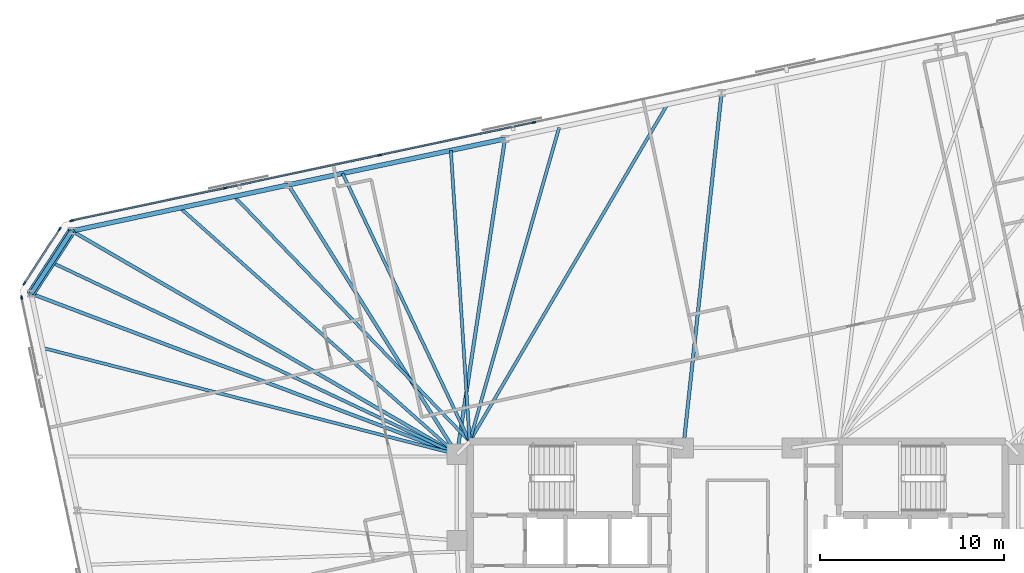
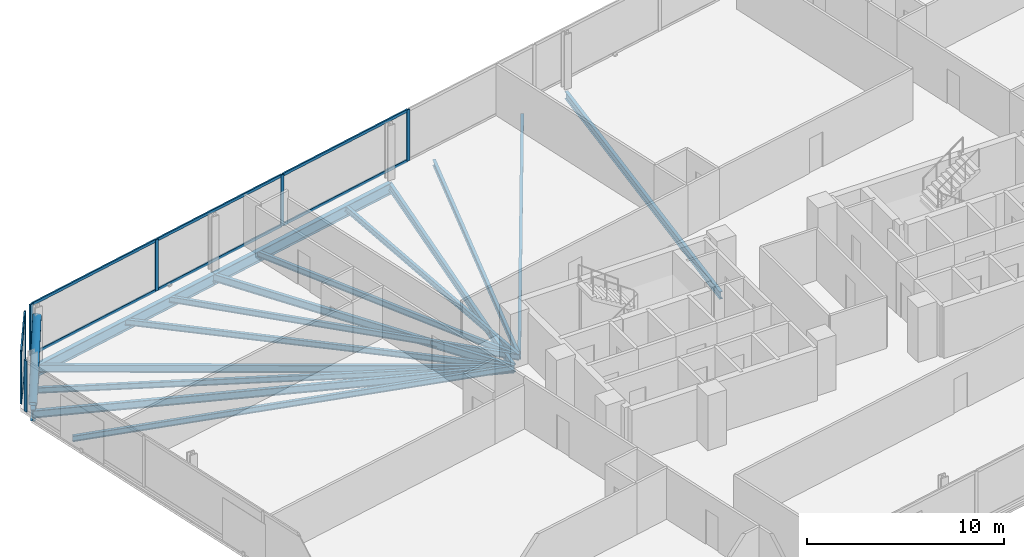
# One storey, part 9 of 19: 16 beams, 16 members, 3 elements without a shape of their own.
"""IFC4 building model written with IfcOpenShell, lengths in metres."""

from ifc_helpers import new_model, si_unit, direction, frame, origin, origin_2d, place, context, subcontext, project, spatial, rectangle, hollow_circle, i_section, extrude, material, material_profile, profile_set, type_object, element, aggregate, save


model = new_model("IFC4")

# Units and contexts
model_context = context("Model", 3, precision=1e-05, world=origin(), true_north=direction((0.0, 1.0)))
body_context = subcontext(model_context, "Body", "Model", "MODEL_VIEW")
ifc_project = project(units=[si_unit("LENGTHUNIT", "METRE"), si_unit("AREAUNIT", "SQUARE_METRE"), si_unit("VOLUMEUNIT", "CUBIC_METRE"), si_unit("PLANEANGLEUNIT", "RADIAN"), si_unit("MASSUNIT", "GRAM", prefix="KILO")], contexts=[model_context])

# Site, building, storey
site_placement = place(None, origin())
site = spatial("IfcSite", under=ifc_project, at=site_placement, CompositionType="ELEMENT")
building_placement = place(site_placement, origin())
building = spatial("IfcBuilding", under=site, at=building_placement, Name="Menara Jurai Vektor", CompositionType="ELEMENT")
storey_placement = place(building_placement, frame((0.0, 0.0, 171.800048828125)))
storey = spatial("IfcBuildingStorey", under=building, at=storey_placement, Name="L44", CompositionType="ELEMENT", Elevation=171.800048828125)

# Curtain wall, members
ifc_material_1 = material(Name="Anodised Pale Aluminium & Low-E Double Glazing", Category="aluminium")
curtain_wall_type = type_object("IfcCurtainWallType", Name="CW-BLK3", PredefinedType="NOTDEFINED", material=ifc_material_1)
curtain_wall_1_placement = place(storey_placement, origin())
curtain_wall_1 = element("IfcCurtainWall", 1, at=curtain_wall_1_placement, inside=storey, type_object=curtain_wall_type, Name="Unitised Curtain Wall L44 F05", PredefinedType="NOTDEFINED")
ifc_material_2 = material(Name="Anodised Pale Aluminium Mullion", Category="aluminium")
ifc_material_profile_1 = material_profile(ifc_material_2, rectangle(XDim=0.0849609375, YDim=0.205078125, at=origin_2d()), Name="ALU MUL 85x205")
ifc_profile_set_1 = profile_set([ifc_material_profile_1], Name="Anodised Pale Aluminium Mullion")
member_type_1 = type_object("IfcMemberType", Name="CW-BLK3-MUL", PredefinedType="MULLION", material=ifc_profile_set_1)
member_1_placement = place(storey_placement, frame((-11.06494140625, 22.9384765625, 0.0), z_axis=(0.0, 0.0, 1.0), x_axis=(0.207911344156, -0.978147674419, 0.0)))
member_1 = element("IfcMember", 2, at=member_1_placement, type_object=member_type_1, Name="CW-03 mullion 5", PredefinedType="MULLION", context=body_context, shape_type="SweptSolid", body=[
    extrude(rectangle(XDim=0.0849609375, YDim=0.205078125, at=origin_2d()), origin(), (0.0, 0.0, 1.0), 3.175048828125),
])
member_2_placement = place(storey_placement, frame((-19.45458984375, 21.1552734375, 0.0), z_axis=(0.0, 0.0, 1.0), x_axis=(0.207911344156, -0.978147674419, 0.0)))
member_2 = element("IfcMember", 3, at=member_2_placement, type_object=member_type_1, Name="CW-03 mullion 6", PredefinedType="MULLION", context=body_context, shape_type="SweptSolid", body=[
    extrude(rectangle(XDim=0.0849609375, YDim=0.205078125, at=origin_2d()), origin(), (0.0, 0.0, 1.0), 3.175048828125),
])
member_3_placement = place(storey_placement, frame((-27.844482421875, 19.3720703125, 0.0), z_axis=(0.0, 0.0, 1.0), x_axis=(0.207911344156, -0.978147674419, 0.0)))
member_3 = element("IfcMember", 4, at=member_3_placement, type_object=member_type_1, Name="CW-03 mullion 7", PredefinedType="MULLION", context=body_context, shape_type="SweptSolid", body=[
    extrude(rectangle(XDim=0.0849609375, YDim=0.205078125, at=origin_2d()), origin(), (0.0, 0.0, 1.0), 3.175048828125),
])
member_4_placement = place(storey_placement, frame((-36.192626953125, 17.59765625, 0.0), z_axis=(0.0, 0.0, 1.0), x_axis=(0.207911344156, -0.978147674419, 0.0)))
member_4 = element("IfcMember", 5, at=member_4_placement, type_object=member_type_1, Name="CW-03 mullion 8", PredefinedType="MULLION", context=body_context, shape_type="SweptSolid", body=[
    extrude(rectangle(XDim=0.0849609375, YDim=0.205078125, at=origin_2d()), origin(), (0.0, 0.0, 1.0), 3.175048828125),
])

curtain_wall_2_placement = place(storey_placement, origin())
curtain_wall_2 = element("IfcCurtainWall", 6, at=curtain_wall_2_placement, inside=storey, type_object=curtain_wall_type, Name="Unitised Curtain Wall L44 F06", PredefinedType="NOTDEFINED")
member_5_placement = place(storey_placement, frame((-36.8359375, 17.1552734375, 0.0), z_axis=(0.0, 0.0, 1.0), x_axis=(0.838684361415, -0.544617794346, 0.0)))
member_5 = element("IfcMember", 7, at=member_5_placement, type_object=member_type_1, Name="CW-03 mullion 1", PredefinedType="MULLION", context=body_context, shape_type="SweptSolid", body=[
    extrude(rectangle(XDim=0.0849609375, YDim=0.205078125, at=origin_2d()), origin(), (0.0, 0.0, 1.0), 3.175048828125),
])
member_6_placement = place(storey_placement, frame((-38.763427734375, 14.187255859375, 0.0), z_axis=(0.0, 0.0, 1.0), x_axis=(0.838684361415, -0.544617794346, 0.0)))
member_6 = element("IfcMember", 8, at=member_6_placement, type_object=member_type_1, Name="CW-03 mullion 2", PredefinedType="MULLION", context=body_context, shape_type="SweptSolid", body=[
    extrude(rectangle(XDim=0.0849609375, YDim=0.205078125, at=origin_2d()), origin(), (0.0, 0.0, 1.0), 3.175048828125),
])

# Curtain wall, member
curtain_wall_3_placement = place(storey_placement, origin())
curtain_wall_3 = element("IfcCurtainWall", 9, at=curtain_wall_3_placement, inside=storey, type_object=curtain_wall_type, Name="Unitised Curtain Wall L44 F07", PredefinedType="NOTDEFINED")
member_7_placement = place(storey_placement, frame((-38.90576171875, 13.419677734375, 0.0), z_axis=(0.0, 0.0, 1.0), x_axis=(0.978147883949, 0.20791035839, 0.0)))
member_7 = element("IfcMember", 10, at=member_7_placement, type_object=member_type_1, Name="CW-03 mullion 1", PredefinedType="MULLION", context=body_context, shape_type="SweptSolid", body=[
    extrude(rectangle(XDim=0.0849609375, YDim=0.205078125, at=origin_2d()), origin(), (0.0, 0.0, 1.0), 3.175048828125),
])
aggregate(curtain_wall_3, [member_7])

# Member
ifc_material_3 = material(Name="Anodised Pale Aluminium Transom", Category="aluminium")
ifc_material_profile_2 = material_profile(ifc_material_3, rectangle(XDim=0.0849609375, YDim=0.175048828125, at=origin_2d()), Name="ALU TRN 85x175")
ifc_profile_set_2 = profile_set([ifc_material_profile_2], Name="Anodised Pale Aluminium Transom")
member_type_2 = type_object("IfcMemberType", Name="CW-BLK3-TRN", PredefinedType="USERDEFINED", material=ifc_profile_set_2)
member_8_placement = place(storey_placement, frame((-11.1064453125, 22.9296875, 0.04248046875), z_axis=(-0.978147743708, -0.207911018178, 0.0), x_axis=(0.207911018178, -0.978147743708, 0.0)))
member_8 = element("IfcMember", 11, at=member_8_placement, type_object=member_type_2, Name="CW-03 transom 5.1", ObjectType="TRANSOM", PredefinedType="USERDEFINED", context=body_context, shape_type="SweptSolid", body=[
    extrude(rectangle(XDim=0.0849609375, YDim=0.175048828125, at=origin_2d()), origin(), (0.0, 0.0, 1.0), 8.4921875),
])

member_9_placement = place(storey_placement, frame((-11.1064453125, 22.9296875, 3.132568359375), z_axis=(-0.978147743708, -0.207911018178, 0.0), x_axis=(0.207911018178, -0.978147743708, 0.0)))
member_9 = element("IfcMember", 12, at=member_9_placement, type_object=member_type_2, Name="CW-03 transom 5.2", ObjectType="TRANSOM", PredefinedType="USERDEFINED", context=body_context, shape_type="SweptSolid", body=[
    extrude(rectangle(XDim=0.0849609375, YDim=0.175048828125, at=origin_2d()), origin(), (0.0, 0.0, 1.0), 8.4921875),
])

member_10_placement = place(storey_placement, frame((-19.496337890625, 21.146484375, 0.04248046875), z_axis=(-0.978146500933, -0.207916864907, 0.0), x_axis=(0.207916864907, -0.978146500933, 0.0)))
member_10 = element("IfcMember", 13, at=member_10_placement, type_object=member_type_2, Name="CW-03 transom 6.1", ObjectType="TRANSOM", PredefinedType="USERDEFINED", context=body_context, shape_type="SweptSolid", body=[
    extrude(rectangle(XDim=0.0849609375, YDim=0.175048828125, at=origin_2d()), origin(), (0.0, 0.0, 1.0), 8.491943359375),
])

member_11_placement = place(storey_placement, frame((-19.496337890625, 21.146484375, 3.132568359375), z_axis=(-0.978146500933, -0.207916864907, 0.0), x_axis=(0.207916864907, -0.978146500933, 0.0)))
member_11 = element("IfcMember", 14, at=member_11_placement, type_object=member_type_2, Name="CW-03 transom 6.2", ObjectType="TRANSOM", PredefinedType="USERDEFINED", context=body_context, shape_type="SweptSolid", body=[
    extrude(rectangle(XDim=0.0849609375, YDim=0.175048828125, at=origin_2d()), origin(), (0.0, 0.0, 1.0), 8.491943359375),
])

member_12_placement = place(storey_placement, frame((-27.885986328125, 19.363037109375, 0.04248046875), z_axis=(-0.978151580361, -0.207892967261, 0.0), x_axis=(0.207892967261, -0.978151580361, 0.0)))
member_12 = element("IfcMember", 15, at=member_12_placement, type_object=member_type_2, Name="CW-03 transom 7.1", ObjectType="TRANSOM", PredefinedType="USERDEFINED", context=body_context, shape_type="SweptSolid", body=[
    extrude(rectangle(XDim=0.0849609375, YDim=0.175048828125, at=origin_2d()), origin(), (0.0, 0.0, 1.0), 8.449462890625),
])

member_13_placement = place(storey_placement, frame((-27.885986328125, 19.363037109375, 3.132568359375), z_axis=(-0.978151580361, -0.207892967261, 0.0), x_axis=(0.207892967261, -0.978151580361, 0.0)))
member_13 = element("IfcMember", 16, at=member_13_placement, type_object=member_type_2, Name="CW-03 transom 7.2", ObjectType="TRANSOM", PredefinedType="USERDEFINED", context=body_context, shape_type="SweptSolid", body=[
    extrude(rectangle(XDim=0.0849609375, YDim=0.175048828125, at=origin_2d()), origin(), (0.0, 0.0, 1.0), 8.449462890625),
])

aggregate(curtain_wall_1, [member_1, member_2, member_3, member_4, member_8, member_9, member_10, member_11, member_12, member_13])

member_14_placement = place(storey_placement, frame((-36.859130859375, 17.11962890625, 0.04248046875), z_axis=(-0.54462804274, -0.83867770631, 0.0), x_axis=(0.83867770631, -0.54462804274, 0.0)))
member_14 = element("IfcMember", 17, at=member_14_placement, type_object=member_type_2, Name="CW-03 transom 1.1", ObjectType="TRANSOM", PredefinedType="USERDEFINED", context=body_context, shape_type="SweptSolid", body=[
    extrude(rectangle(XDim=0.0849609375, YDim=0.175048828125, at=origin_2d()), origin(), (0.0, 0.0, 1.0), 3.453857421875),
])

member_15_placement = place(storey_placement, frame((-36.859130859375, 17.11962890625, 3.132568359375), z_axis=(-0.54462804274, -0.83867770631, 0.0), x_axis=(0.83867770631, -0.54462804274, 0.0)))
member_15 = element("IfcMember", 18, at=member_15_placement, type_object=member_type_2, Name="CW-03 transom 1.2", ObjectType="TRANSOM", PredefinedType="USERDEFINED", context=body_context, shape_type="SweptSolid", body=[
    extrude(rectangle(XDim=0.0849609375, YDim=0.175048828125, at=origin_2d()), origin(), (0.0, 0.0, 1.0), 3.453857421875),
])

aggregate(curtain_wall_2, [member_5, member_6, member_14, member_15])

# Beams
ifc_material_4 = material(Name="Steel S355", Category="steel")
ifc_material_profile_3 = material_profile(ifc_material_4, i_section(OverallWidth=0.19091796875, OverallDepth=0.4599609375, WebThickness=0.010009765625, FlangeThickness=0.01611328125, FilletRadius=0.010009765625, at=origin_2d()), Name="UKB 457x191x82")
ifc_profile_set_3 = profile_set([ifc_material_profile_3], Name="Steel S355")
beam_type_1 = type_object("IfcBeamType", Name="STR-BM-457", PredefinedType="BEAM", material=ifc_profile_set_3)
beam_1_placement = place(storey_placement, frame((-0.87158203125, 24.54296875, -0.455078125), z_axis=(-0.107107067506, -0.994247492373, 0.0), x_axis=(0.994247492373, -0.107107067506, 0.0)))
element("IfcBeam", 19, at=beam_1_placement, inside=storey, type_object=beam_type_1, Name="Radial Floor Girder L44-N3", PredefinedType="BEAM", context=body_context, shape_type="SweptSolid", body=[
    extrude(i_section(OverallWidth=0.19091796875, OverallDepth=0.4599609375, WebThickness=0.010009765625, FlangeThickness=0.01611328125, FilletRadius=0.010009765625, at=origin_2d()), origin(), (0.0, 0.0, 1.0), 19.404541015625),
])
beam_2_placement = place(storey_placement, frame((-12.639892578125, 22.04150390625, -0.455078125), z_axis=(-0.150532344322, -0.988605084608, 0.0), x_axis=(0.988605084608, -0.150532344322, 0.0)))
element("IfcBeam", 20, at=beam_2_placement, inside=storey, type_object=beam_type_1, Name="Radial Floor Girder L44-N4", PredefinedType="BEAM", context=body_context, shape_type="SweptSolid", body=[
    extrude(i_section(OverallWidth=0.19091796875, OverallDepth=0.4599609375, WebThickness=0.010009765625, FlangeThickness=0.01611328125, FilletRadius=0.010009765625, at=origin_2d()), origin(), (0.0, 0.0, 1.0), 17.339111328125),
])
beam_3_placement = place(storey_placement, frame((-24.408203125, 19.5400390625, -0.455078125), z_axis=(0.53033693414, -0.847786963976, 0.0), x_axis=(0.847786963976, 0.53033693414, 0.0)))
element("IfcBeam", 21, at=beam_3_placement, inside=storey, type_object=beam_type_1, Name="Radial Floor Girder L44-N5", PredefinedType="BEAM", context=body_context, shape_type="SweptSolid", body=[
    extrude(i_section(OverallWidth=0.19091796875, OverallDepth=0.4599609375, WebThickness=0.010009765625, FlangeThickness=0.01611328125, FilletRadius=0.010009765625, at=origin_2d()), origin(), (0.0, 0.0, 1.0), 17.2685546875),
])
beam_4_placement = place(storey_placement, frame((-36.17626953125, 17.038818359375, -0.455078125), z_axis=(0.86500105453, -0.50177004261, 0.0), x_axis=(0.50177004261, 0.86500105453, 0.0)))
element("IfcBeam", 22, at=beam_4_placement, inside=storey, type_object=beam_type_1, Name="Radial Floor Girder L44-N6", PredefinedType="BEAM", context=body_context, shape_type="SweptSolid", body=[
    extrude(i_section(OverallWidth=0.19091796875, OverallDepth=0.4599609375, WebThickness=0.010009765625, FlangeThickness=0.01611328125, FilletRadius=0.010009765625, at=origin_2d()), origin(), (0.0, 0.0, 1.0), 24.192138671875),
])
beam_5_placement = place(storey_placement, frame((-38.388671875, 13.632080078125, -0.455078125), z_axis=(0.935593658977, -0.353078610626, 0.0), x_axis=(0.353078610626, 0.935593658977, 0.0)))
element("IfcBeam", 23, at=beam_5_placement, inside=storey, type_object=beam_type_1, Name="Radial Floor Girder L44-W1", PredefinedType="BEAM", context=body_context, shape_type="SweptSolid", body=[
    extrude(i_section(OverallWidth=0.19091796875, OverallDepth=0.4599609375, WebThickness=0.010009765625, FlangeThickness=0.01611328125, FilletRadius=0.010009765625, at=origin_2d()), origin(), (0.0, 0.0, 1.0), 24.7314453125),
])

# Member
ifc_material_5 = material(Name="Steel S460", Category="steel")
ifc_material_profile_4 = material_profile(ifc_material_5, hollow_circle(Radius=0.228515625, WallThickness=0.01611328125, at=origin_2d()), Name="CHS 457x16")
ifc_profile_set_4 = profile_set([ifc_material_profile_4], Name="Steel S460")
member_type_3 = type_object("IfcMemberType", Name="STR-BR-457", PredefinedType="BRACE", material=ifc_profile_set_4)
member_16_placement = place(storey_placement, frame((-38.388671875, 13.632080078125, 0.14990234375), z_axis=(0.454887866849, 0.700402825662, 0.5500117366), x_axis=(-0.838648168484, 0.544673525608, 0.0)))
element("IfcMember", 24, at=member_16_placement, inside=storey, type_object=member_type_3, Name="Exoskeleton Corner Brace L44-3", PredefinedType="BRACE", context=body_context, shape_type="SweptSolid", body=[
    extrude(hollow_circle(Radius=0.228515625, WallThickness=0.01611328125, at=origin_2d()), origin(), (0.0, 0.0, 1.0), 4.863525390625),
])

# Beams
ifc_material_profile_5 = material_profile(ifc_material_4, i_section(OverallWidth=0.172119140625, OverallDepth=0.35498046875, WebThickness=0.007080078125, FlangeThickness=0.011962890625, FilletRadius=0.010009765625, at=origin_2d()), Name="UKB 356x171x51")
ifc_profile_set_5 = profile_set([ifc_material_profile_5], Name="Steel S355")
beam_type_2 = type_object("IfcBeamType", Name="STR-JS-356", PredefinedType="JOIST", material=ifc_profile_set_5)
beam_6_placement = place(storey_placement, frame((-3.813720703125, 23.91748046875, -0.402587890625), z_axis=(-0.506019514775, -0.862522029091, 0.0), x_axis=(0.862522029091, -0.506019514775, 0.0)))
element("IfcBeam", 25, at=beam_6_placement, inside=storey, type_object=beam_type_2, Name="Radial Secondary Floor Joist L44-JS22", PredefinedType="JOIST", context=body_context, shape_type="SweptSolid", body=[
    extrude(i_section(OverallWidth=0.172119140625, OverallDepth=0.35498046875, WebThickness=0.007080078125, FlangeThickness=0.011962890625, FilletRadius=0.010009765625, at=origin_2d()), origin(), (0.0, 0.0, 1.0), 21.237060546875),
])
beam_7_placement = place(storey_placement, frame((-9.69775390625, 22.666748046875, -0.402587890625), z_axis=(-0.273997863708, -0.961730300387, 0.0), x_axis=(0.961730300387, -0.273997863708, 0.0)))
element("IfcBeam", 26, at=beam_7_placement, inside=storey, type_object=beam_type_2, Name="Radial Secondary Floor Joist L44-JS23", PredefinedType="JOIST", context=body_context, shape_type="SweptSolid", body=[
    extrude(i_section(OverallWidth=0.172119140625, OverallDepth=0.35498046875, WebThickness=0.007080078125, FlangeThickness=0.011962890625, FilletRadius=0.010009765625, at=origin_2d()), origin(), (0.0, 0.0, 1.0), 17.745849609375),
])
beam_8_placement = place(storey_placement, frame((-15.581787109375, 21.416015625, -0.402587890625), z_axis=(0.064466897528, -0.997919846041, 0.0), x_axis=(0.997919846041, 0.064466897528, 0.0)))
element("IfcBeam", 27, at=beam_8_placement, inside=storey, type_object=beam_type_2, Name="Radial Secondary Floor Joist L44-JS24", PredefinedType="JOIST", context=body_context, shape_type="SweptSolid", body=[
    extrude(i_section(OverallWidth=0.172119140625, OverallDepth=0.35498046875, WebThickness=0.007080078125, FlangeThickness=0.011962890625, FilletRadius=0.010009765625, at=origin_2d()), origin(), (0.0, 0.0, 1.0), 15.848876953125),
])
beam_9_placement = place(storey_placement, frame((-21.466064453125, 20.165283203125, -0.402587890625), z_axis=(0.428426167333, -0.903576792057, 0.0), x_axis=(0.903576792057, 0.428426167333, 0.0)))
element("IfcBeam", 28, at=beam_9_placement, inside=storey, type_object=beam_type_2, Name="Radial Secondary Floor Joist L44-JS25", PredefinedType="JOIST", context=body_context, shape_type="SweptSolid", body=[
    extrude(i_section(OverallWidth=0.172119140625, OverallDepth=0.35498046875, WebThickness=0.007080078125, FlangeThickness=0.011962890625, FilletRadius=0.010009765625, at=origin_2d()), origin(), (0.0, 0.0, 1.0), 16.119384765625),
])
beam_10_placement = place(storey_placement, frame((-27.35009765625, 18.914794921875, -0.402587890625), z_axis=(0.692755307066, -0.721172714772, 0.0), x_axis=(0.721172714772, 0.692755307066, 0.0)))
element("IfcBeam", 29, at=beam_10_placement, inside=storey, type_object=beam_type_2, Name="Radial Secondary Floor Joist L44-JS26", PredefinedType="JOIST", context=body_context, shape_type="SweptSolid", body=[
    extrude(i_section(OverallWidth=0.172119140625, OverallDepth=0.35498046875, WebThickness=0.007080078125, FlangeThickness=0.011962890625, FilletRadius=0.010009765625, at=origin_2d()), origin(), (0.0, 0.0, 1.0), 18.462646484375),
])
beam_11_placement = place(storey_placement, frame((-30.292236328125, 18.289306640625, -0.402587890625), z_axis=(0.746952302948, -0.664877625673, 0.0), x_axis=(0.664877625673, 0.746952302948, 0.0)))
element("IfcBeam", 30, at=beam_11_placement, inside=storey, type_object=beam_type_2, Name="Radial Secondary Floor Joist L44-JS27", PredefinedType="JOIST", context=body_context, shape_type="SweptSolid", body=[
    extrude(i_section(OverallWidth=0.172119140625, OverallDepth=0.35498046875, WebThickness=0.007080078125, FlangeThickness=0.011962890625, FilletRadius=0.010009765625, at=origin_2d()), origin(), (0.0, 0.0, 1.0), 20.13818359375),
])
beam_12_placement = place(storey_placement, frame((-37.282470703125, 15.33544921875, -0.402587890625), z_axis=(0.903751908448, -0.428056641085, 0.0), x_axis=(0.428056641085, 0.903751908448, 0.0)))
element("IfcBeam", 31, at=beam_12_placement, inside=storey, type_object=beam_type_2, Name="Radial Secondary Floor Joist L44-JS28", PredefinedType="JOIST", context=body_context, shape_type="SweptSolid", body=[
    extrude(i_section(OverallWidth=0.172119140625, OverallDepth=0.35498046875, WebThickness=0.007080078125, FlangeThickness=0.011962890625, FilletRadius=0.010009765625, at=origin_2d()), origin(), (0.0, 0.0, 1.0), 24.37890625),
])
beam_13_placement = place(storey_placement, frame((-37.76220703125, 10.68505859375, -0.402587890625), z_axis=(0.968531283953, -0.248891848005, 0.0), x_axis=(0.248891848005, 0.968531283953, 0.0)))
element("IfcBeam", 32, at=beam_13_placement, inside=storey, type_object=beam_type_2, Name="Radial Secondary Floor Joist L44-JS29", PredefinedType="JOIST", context=body_context, shape_type="SweptSolid", body=[
    extrude(i_section(OverallWidth=0.172119140625, OverallDepth=0.35498046875, WebThickness=0.007080078125, FlangeThickness=0.011962890625, FilletRadius=0.010009765625, at=origin_2d()), origin(), (0.0, 0.0, 1.0), 23.24365234375),
])
ifc_material_profile_6 = material_profile(ifc_material_5, i_section(OverallWidth=0.256103515625, OverallDepth=0.693115234375, WebThickness=0.013916015625, FlangeThickness=0.02392578125, FilletRadius=0.014892578125, at=origin_2d()), Name="UKB 686x254x170")
ifc_profile_set_6 = profile_set([ifc_material_profile_6], Name="Steel S460")
beam_type_3 = type_object("IfcBeamType", Name="STR-SP-686", PredefinedType="SPANDREL", material=ifc_profile_set_6)
beam_14_placement = place(storey_placement, frame((-12.639892578125, 22.04150390625, -0.571533203125), z_axis=(-0.978147039247, -0.207914332389, 0.0), x_axis=(0.207914332389, -0.978147039247, 0.0)))
element("IfcBeam", 33, at=beam_14_placement, inside=storey, type_object=beam_type_3, Name="Exoskeleton Spandrel Beam L44-14", PredefinedType="SPANDREL", context=body_context, shape_type="SweptSolid", body=[
    extrude(i_section(OverallWidth=0.256103515625, OverallDepth=0.693115234375, WebThickness=0.013916015625, FlangeThickness=0.02392578125, FilletRadius=0.014892578125, at=origin_2d()), origin(), (0.0, 0.0, 1.0), 12.03125),
])
beam_15_placement = place(storey_placement, frame((-24.408203125, 19.5400390625, -0.571533203125), z_axis=(-0.978150288855, -0.207899043801, 0.0), x_axis=(0.207899043801, -0.978150288855, 0.0)))
element("IfcBeam", 34, at=beam_15_placement, inside=storey, type_object=beam_type_3, Name="Exoskeleton Spandrel Beam L44-15", PredefinedType="SPANDREL", context=body_context, shape_type="SweptSolid", body=[
    extrude(i_section(OverallWidth=0.256103515625, OverallDepth=0.693115234375, WebThickness=0.013916015625, FlangeThickness=0.02392578125, FilletRadius=0.014892578125, at=origin_2d()), origin(), (0.0, 0.0, 1.0), 12.031005859375),
])
beam_16_placement = place(storey_placement, frame((-36.17626953125, 17.038818359375, -0.571533203125), z_axis=(-0.544646071268, -0.838665998507, 0.0), x_axis=(0.838665998507, -0.544646071268, 0.0)))
element("IfcBeam", 35, at=beam_16_placement, inside=storey, type_object=beam_type_3, Name="Exoskeleton Spandrel Beam L44-16", PredefinedType="SPANDREL", context=body_context, shape_type="SweptSolid", body=[
    extrude(i_section(OverallWidth=0.256103515625, OverallDepth=0.693115234375, WebThickness=0.013916015625, FlangeThickness=0.02392578125, FilletRadius=0.014892578125, at=origin_2d()), origin(), (0.0, 0.0, 1.0), 4.06201171875),
])

save(model, "model.ifc")
